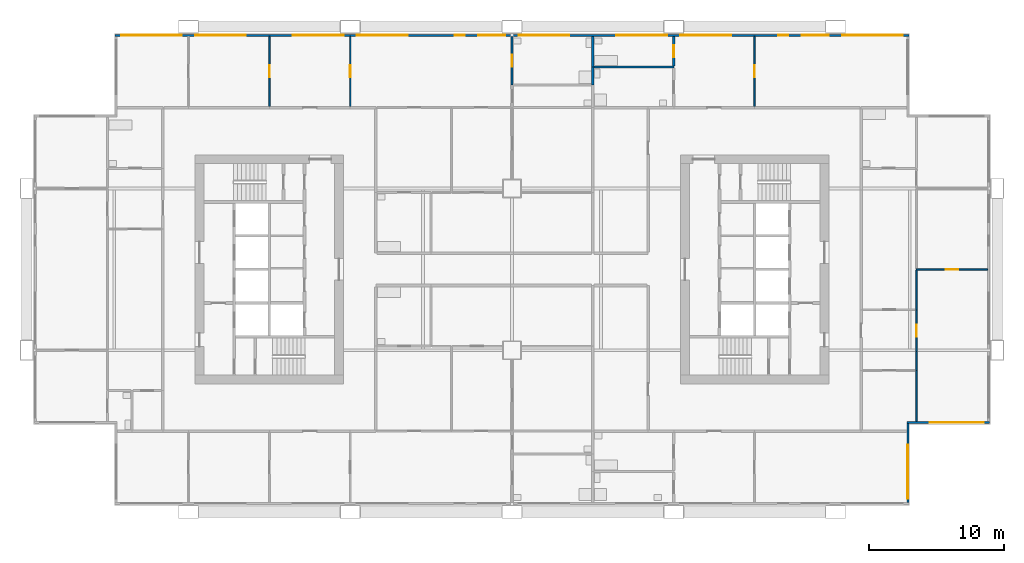
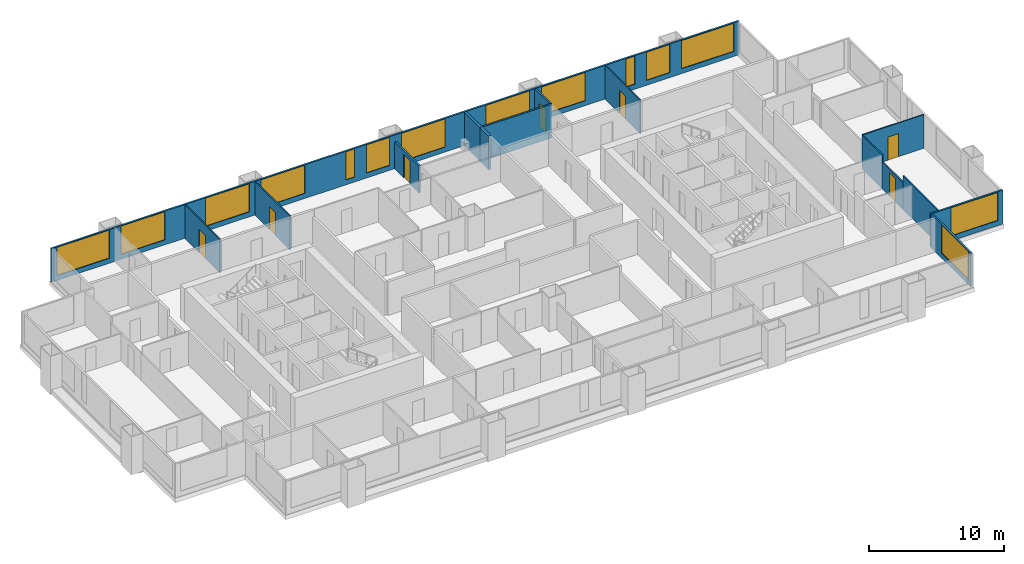
# One storey, part 8 of 11: 16 walls, 14 windows, 7 doors, 21 openings.
"""IFC4 building model written with IfcOpenShell, lengths in metres."""

from ifc_helpers import new_model, si_unit, direction, frame, frame_2d, origin, place, context, subcontext, project, spatial, rectangle, extrude, material, layer, layer_set, type_object, element, fill, save


model = new_model("IFC4")

# Units and contexts
model_context = context("Model", 3, precision=1e-05, world=origin(), true_north=direction((0.0, 1.0)))
body_context = subcontext(model_context, "Body", "Model", "MODEL_VIEW")
ifc_project = project(units=[si_unit("LENGTHUNIT", "METRE"), si_unit("AREAUNIT", "SQUARE_METRE"), si_unit("VOLUMEUNIT", "CUBIC_METRE"), si_unit("PLANEANGLEUNIT", "RADIAN"), si_unit("MASSUNIT", "GRAM", prefix="KILO")], contexts=[model_context])

# Site, building, storey
site_placement = place(None, origin())
site = spatial("IfcSite", under=ifc_project, at=site_placement, CompositionType="ELEMENT")
building_placement = place(site_placement, origin())
building = spatial("IfcBuilding", under=site, at=building_placement, Name="Kitamizu Gate Tower and Museum", CompositionType="ELEMENT")
storey_placement = place(building_placement, frame((0.0, 0.0, 120.75)))
storey = spatial("IfcBuildingStorey", under=building, at=storey_placement, Name="L31", CompositionType="ELEMENT", Elevation=120.75)

# Wall, opening, door
ifc_material_1 = material(Name="Gypsum board on galvanised stud")
ifc_layer_1 = layer(ifc_material_1, 0.10009765625)
ifc_layer_set_1 = layer_set([ifc_layer_1], Name="Gypsum board on galvanised stud")
wall_type_1 = type_object("IfcWallType", Name="Partition 100 NOT RATED", PredefinedType="PARTITIONING", material=ifc_layer_set_1)
wall_1_placement = place(storey_placement, frame((18.0, 42.10009765625, 0.0), z_axis=(0.0, 0.0, 1.0), x_axis=(0.0, 1.0, 0.0)))
wall_1 = element("IfcWall", 1, at=wall_1_placement, inside=storey, type_object=wall_type_1, Name="Partition L31-056", PredefinedType="PARTITIONING", context=body_context, shape_type="SweptSolid", body=[
    extrude(rectangle(XDim=5.179931640625, YDim=0.10009765625, at=frame_2d((2.58984375, 0.0))), origin(), (0.0, 0.0, 1.0), 3.050048828125),
])
opening_1_placement = place(wall_1_placement, frame((2.139892578125, 0.0, 0.0)))
opening_1 = element("IfcOpeningElement", 2, at=opening_1_placement, cuts=wall_1, Name="Opening L31-025", PredefinedType="OPENING", context=body_context, shape_type="SweptSolid", body=[
    extrude(rectangle(XDim=0.89990234375, YDim=2.10009765625, at=frame_2d((0.449951171875, 1.050048828125))), frame((0.0, 0.06005859375, 0.0), z_axis=(0.0, -1.0, 0.0), x_axis=(1.0, 0.0, 0.0)), (0.0, 0.0, 1.0), 0.1201171875),
])
ifc_material_2 = material(Name="Timber door set", Category="wood")
door_type_1 = type_object("IfcDoorType", Name="Room door 900", OperationType="NOTDEFINED", PredefinedType="DOOR", material=ifc_material_2)
door_1_placement = place(opening_1_placement, origin())
door_1 = element("IfcDoor", 3, at=door_1_placement, inside=storey, type_object=door_type_1, Name="Door L31-025", OperationType="SINGLE_SWING_RIGHT", OverallHeight=2.10009765625, OverallWidth=0.89990234375, PredefinedType="DOOR", context=body_context, shape_type="SweptSolid", body=[
    extrude(rectangle(XDim=0.89990234375, YDim=2.10009765625, at=frame_2d((0.449951171875, 1.050048828125))), frame((0.0, 0.02490234375, 0.0), z_axis=(0.0, -1.0, 0.0), x_axis=(1.0, 0.0, 0.0)), (0.0, 0.0, 1.0), 0.050048828125),
])
fill(opening_1, door_1)

wall_2_placement = place(storey_placement, frame((24.0, 42.10009765625, 0.0), z_axis=(0.0, 0.0, 1.0), x_axis=(0.0, 1.0, 0.0)))
wall_2 = element("IfcWall", 4, at=wall_2_placement, inside=storey, type_object=wall_type_1, Name="Partition L31-058", PredefinedType="PARTITIONING", context=body_context, shape_type="SweptSolid", body=[
    extrude(rectangle(XDim=5.179931640625, YDim=0.10009765625, at=frame_2d((2.58984375, 0.0))), origin(), (0.0, 0.0, 1.0), 3.050048828125),
])
opening_2_placement = place(wall_2_placement, frame((2.139892578125, 0.0, 0.0)))
opening_2 = element("IfcOpeningElement", 5, at=opening_2_placement, cuts=wall_2, Name="Opening L31-021", PredefinedType="OPENING", context=body_context, shape_type="SweptSolid", body=[
    extrude(rectangle(XDim=0.89990234375, YDim=2.10009765625, at=frame_2d((0.449951171875, 1.050048828125))), frame((0.0, 0.06005859375, 0.0), z_axis=(0.0, -1.0, 0.0), x_axis=(1.0, 0.0, 0.0)), (0.0, 0.0, 1.0), 0.1201171875),
])
door_2_placement = place(opening_2_placement, frame((0.89990234375, 0.0, 0.0), x_axis=(-1.0, 0.0, 0.0)))
door_2 = element("IfcDoor", 6, at=door_2_placement, inside=storey, type_object=door_type_1, Name="Door L31-021", OperationType="SINGLE_SWING_LEFT", OverallHeight=2.10009765625, OverallWidth=0.89990234375, PredefinedType="DOOR", context=body_context, shape_type="SweptSolid", body=[
    extrude(rectangle(XDim=0.89990234375, YDim=2.10009765625, at=frame_2d((0.449951171875, 1.050048828125))), frame((0.0, 0.02490234375, 0.0), z_axis=(0.0, -1.0, 0.0), x_axis=(1.0, 0.0, 0.0)), (0.0, 0.0, 1.0), 0.050048828125),
])
fill(opening_2, door_2)

wall_3_placement = place(storey_placement, frame((71.280029296875, 30.0, 0.0), z_axis=(0.0, 0.0, 1.0), x_axis=(-1.0, 0.0, 0.0)))
wall_3 = element("IfcWall", 7, at=wall_3_placement, inside=storey, type_object=wall_type_1, Name="Partition L31-098", PredefinedType="PARTITIONING", context=body_context, shape_type="SweptSolid", body=[
    extrude(rectangle(XDim=5.280029296875, YDim=0.10009765625, at=frame_2d((2.64013671875, 0.0))), origin(), (0.0, 0.0, 1.0), 3.050048828125),
])
opening_3_placement = place(wall_3_placement, frame((2.18994140625, 0.0, 0.0)))
opening_3 = element("IfcOpeningElement", 8, at=opening_3_placement, cuts=wall_3, Name="Opening L31-038", PredefinedType="OPENING", context=body_context, shape_type="SweptSolid", body=[
    extrude(rectangle(XDim=0.89990234375, YDim=2.10009765625, at=frame_2d((0.449951171875, 1.050048828125))), frame((0.0, 0.06005859375, 0.0), z_axis=(0.0, -1.0, 0.0), x_axis=(1.0, 0.0, 0.0)), (0.0, 0.0, 1.0), 0.1201171875),
])
door_3_placement = place(opening_3_placement, frame((0.89990234375, 0.0, 0.0), x_axis=(-1.0, 0.0, 0.0)))
door_3 = element("IfcDoor", 9, at=door_3_placement, inside=storey, type_object=door_type_1, Name="Door L31-038", OperationType="SINGLE_SWING_LEFT", OverallHeight=2.10009765625, OverallWidth=0.89990234375, PredefinedType="DOOR", context=body_context, shape_type="SweptSolid", body=[
    extrude(rectangle(XDim=0.89990234375, YDim=2.10009765625, at=frame_2d((0.449951171875, 1.050048828125))), frame((0.0, 0.02490234375, 0.0), z_axis=(0.0, -1.0, 0.0), x_axis=(1.0, 0.0, 0.0)), (0.0, 0.0, 1.0), 0.050048828125),
])
fill(opening_3, door_3)

# Wall
wall_4_placement = place(storey_placement, frame((66.0, 22.5, 0.0), z_axis=(0.0, 0.0, 1.0), x_axis=(0.0, -1.0, 0.0)))
element("IfcWall", 10, at=wall_4_placement, inside=storey, type_object=wall_type_1, Name="Partition L31-099", PredefinedType="PARTITIONING", context=body_context, shape_type="SweptSolid", body=[
    extrude(rectangle(XDim=3.780029296875, YDim=0.10009765625, at=frame_2d((1.89013671875, 0.0))), origin(), (0.0, 0.0, 1.0), 3.050048828125),
])

# Wall, opening, door
wall_5_placement = place(storey_placement, frame((66.0, 27.0, 0.0), z_axis=(0.0, 0.0, 1.0), x_axis=(0.0, -1.0, 0.0)))
wall_5 = element("IfcWall", 11, at=wall_5_placement, inside=storey, type_object=wall_type_1, Name="Partition L31-100", PredefinedType="PARTITIONING", context=body_context, shape_type="SweptSolid", body=[
    extrude(rectangle(XDim=3.10009765625, YDim=0.10009765625, at=frame_2d((1.550048828125, 0.0))), origin(), (0.0, 0.0, 1.0), 2.449951171875),
])
opening_4_placement = place(wall_5_placement, frame((1.10009765625, 0.0, 0.0)))
opening_4 = element("IfcOpeningElement", 12, at=opening_4_placement, cuts=wall_5, Name="Opening L31-036", PredefinedType="OPENING", context=body_context, shape_type="SweptSolid", body=[
    extrude(rectangle(XDim=0.89990234375, YDim=2.10009765625, at=frame_2d((0.449951171875, 1.050048828125))), frame((0.0, 0.06005859375, 0.0), z_axis=(0.0, -1.0, 0.0), x_axis=(1.0, 0.0, 0.0)), (0.0, 0.0, 1.0), 0.1201171875),
])
door_4_placement = place(opening_4_placement, origin())
door_4 = element("IfcDoor", 13, at=door_4_placement, inside=storey, type_object=door_type_1, Name="Door L31-036", OperationType="SINGLE_SWING_RIGHT", OverallHeight=2.10009765625, OverallWidth=0.89990234375, PredefinedType="DOOR", context=body_context, shape_type="SweptSolid", body=[
    extrude(rectangle(XDim=0.89990234375, YDim=2.10009765625, at=frame_2d((0.449951171875, 1.050048828125))), frame((0.0, 0.02490234375, 0.0), z_axis=(0.0, -1.0, 0.0), x_axis=(1.0, 0.0, 0.0)), (0.0, 0.0, 1.0), 0.050048828125),
])
fill(opening_4, door_4)

# Walls
wall_6_placement = place(storey_placement, frame((66.0, 23.89990234375, 0.0), z_axis=(0.0, 0.0, 1.0), x_axis=(0.0, -1.0, 0.0)))
element("IfcWall", 14, at=wall_6_placement, inside=storey, type_object=wall_type_1, Name="Partition L31-101", PredefinedType="PARTITIONING", context=body_context, shape_type="SweptSolid", body=[
    extrude(rectangle(XDim=1.39990234375, YDim=0.10009765625, at=frame_2d((0.699951171875, 0.0))), origin(), (0.0, 0.0, 1.0), 3.050048828125),
])
wall_7_placement = place(storey_placement, frame((66.0, 29.949951171875, 0.0), z_axis=(0.0, 0.0, 1.0), x_axis=(0.0, -1.0, 0.0)))
element("IfcWall", 15, at=wall_7_placement, inside=storey, type_object=wall_type_1, Name="Partition L31-102", PredefinedType="PARTITIONING", context=body_context, shape_type="SweptSolid", body=[
    extrude(rectangle(XDim=2.949951171875, YDim=0.10009765625, at=frame_2d((1.47509765625, 0.0))), origin(), (0.0, 0.0, 1.0), 3.050048828125),
])

# Wall, opening, door
wall_8_placement = place(storey_placement, frame((54.0, 42.10009765625, 0.0), z_axis=(0.0, 0.0, 1.0), x_axis=(0.0, 1.0, 0.0)))
wall_8 = element("IfcWall", 16, at=wall_8_placement, inside=storey, type_object=wall_type_1, Name="Partition L31-122", PredefinedType="PARTITIONING", context=body_context, shape_type="SweptSolid", body=[
    extrude(rectangle(XDim=5.179931640625, YDim=0.10009765625, at=frame_2d((2.58984375, 0.0))), origin(), (0.0, 0.0, 1.0), 3.050048828125),
])
opening_5_placement = place(wall_8_placement, frame((2.139892578125, 0.0, 0.0)))
opening_5 = element("IfcOpeningElement", 17, at=opening_5_placement, cuts=wall_8, Name="Opening L31-043", PredefinedType="OPENING", context=body_context, shape_type="SweptSolid", body=[
    extrude(rectangle(XDim=0.89990234375, YDim=2.10009765625, at=frame_2d((0.449951171875, 1.050048828125))), frame((0.0, 0.06005859375, 0.0), z_axis=(0.0, -1.0, 0.0), x_axis=(1.0, 0.0, 0.0)), (0.0, 0.0, 1.0), 0.1201171875),
])
door_5_placement = place(opening_5_placement, frame((0.89990234375, 0.0, 0.0), x_axis=(-1.0, 0.0, 0.0)))
door_5 = element("IfcDoor", 18, at=door_5_placement, inside=storey, type_object=door_type_1, Name="Door L31-043", OperationType="SINGLE_SWING_LEFT", OverallHeight=2.10009765625, OverallWidth=0.89990234375, PredefinedType="DOOR", context=body_context, shape_type="SweptSolid", body=[
    extrude(rectangle(XDim=0.89990234375, YDim=2.10009765625, at=frame_2d((0.449951171875, 1.050048828125))), frame((0.0, 0.02490234375, 0.0), z_axis=(0.0, -1.0, 0.0), x_axis=(1.0, 0.0, 0.0)), (0.0, 0.0, 1.0), 0.050048828125),
])
fill(opening_5, door_5)

ifc_material_3 = material(Name="Gypsum board on galvanised stud")
ifc_layer_2 = layer(ifc_material_3, 0.14990234375)
ifc_layer_set_2 = layer_set([ifc_layer_2], Name="Gypsum board on galvanised stud")
wall_type_2 = type_object("IfcWallType", Name="Partition 150", PredefinedType="PARTITIONING", material=ifc_layer_set_2)
wall_9_placement = place(storey_placement, frame((36.0, 43.679931640625, 0.0), z_axis=(0.0, 0.0, 1.0), x_axis=(0.0, 1.0, 0.0)))
wall_9 = element("IfcWall", 19, at=wall_9_placement, inside=storey, type_object=wall_type_2, Name="Partition L31-060", PredefinedType="PARTITIONING", context=body_context, shape_type="SweptSolid", body=[
    extrude(rectangle(XDim=3.60009765625, YDim=0.14990234375, at=frame_2d((1.800048828125, 0.0))), origin(), (0.0, 0.0, 1.0), 2.449951171875),
])
opening_6_placement = place(wall_9_placement, frame((1.35009765625, 0.0, 0.0)))
opening_6 = element("IfcOpeningElement", 20, at=opening_6_placement, cuts=wall_9, Name="Opening L31-024", PredefinedType="OPENING", context=body_context, shape_type="SweptSolid", body=[
    extrude(rectangle(XDim=0.89990234375, YDim=2.10009765625, at=frame_2d((0.449951171875, 1.050048828125))), frame((0.0, 0.0849609375, 0.0), z_axis=(0.0, -1.0, 0.0), x_axis=(1.0, 0.0, 0.0)), (0.0, 0.0, 1.0), 0.169921875),
])
ifc_material_4 = material(Name="Timber door set", Category="wood")
door_type_2 = type_object("IfcDoorType", Name="Bathroom door 900", OperationType="NOTDEFINED", PredefinedType="DOOR", material=ifc_material_4)
door_6_placement = place(opening_6_placement, frame((0.89990234375, 0.0, 0.0), x_axis=(-1.0, 0.0, 0.0)))
door_6 = element("IfcDoor", 21, at=door_6_placement, inside=storey, type_object=door_type_2, Name="Bathroom door L31-024", OperationType="SINGLE_SWING_RIGHT", OverallHeight=2.10009765625, OverallWidth=0.89990234375, PredefinedType="DOOR", context=body_context, shape_type="SweptSolid", body=[
    extrude(rectangle(XDim=0.89990234375, YDim=2.10009765625, at=frame_2d((0.449951171875, 1.050048828125))), frame((0.0, 0.02490234375, 0.0), z_axis=(0.0, -1.0, 0.0), x_axis=(1.0, 0.0, 0.0)), (0.0, 0.0, 1.0), 0.050048828125),
])
fill(opening_6, door_6)

# Wall
wall_10_placement = place(storey_placement, frame((48.0, 45.0, 0.0), z_axis=(0.0, 0.0, 1.0), x_axis=(-1.0, 0.0, 0.0)))
element("IfcWall", 22, at=wall_10_placement, inside=storey, type_object=wall_type_2, Name="Partition L31-117", PredefinedType="PARTITIONING", context=body_context, shape_type="SweptSolid", body=[
    extrude(rectangle(XDim=5.89990234375, YDim=0.14990234375, at=frame_2d((2.949951171875, 0.0))), origin(), (0.0, 0.0, 1.0), 3.050048828125),
])

# Wall, opening, door
wall_11_placement = place(storey_placement, frame((48.0, 45.074951171875, 0.0), z_axis=(0.0, 0.0, 1.0), x_axis=(0.0, 1.0, 0.0)))
wall_11 = element("IfcWall", 23, at=wall_11_placement, inside=storey, type_object=wall_type_2, Name="Partition L31-121", PredefinedType="PARTITIONING", context=body_context, shape_type="SweptSolid", body=[
    extrude(rectangle(XDim=2.205078125, YDim=0.14990234375, at=frame_2d((1.1025390625, 0.0))), origin(), (0.0, 0.0, 1.0), 3.050048828125),
])
opening_7_placement = place(wall_11_placement, frame((0.652587890625, 0.0, 0.0)))
opening_7 = element("IfcOpeningElement", 24, at=opening_7_placement, cuts=wall_11, Name="Opening L31-045", PredefinedType="OPENING", context=body_context, shape_type="SweptSolid", body=[
    extrude(rectangle(XDim=0.89990234375, YDim=2.10009765625, at=frame_2d((0.449951171875, 1.050048828125))), frame((0.0, 0.0849609375, 0.0), z_axis=(0.0, -1.0, 0.0), x_axis=(1.0, 0.0, 0.0)), (0.0, 0.0, 1.0), 0.169921875),
])
door_7_placement = place(opening_7_placement, origin())
door_7 = element("IfcDoor", 25, at=door_7_placement, inside=storey, type_object=door_type_2, Name="Bathroom door L31-045", OperationType="SINGLE_SWING_RIGHT", OverallHeight=2.10009765625, OverallWidth=0.89990234375, PredefinedType="DOOR", context=body_context, shape_type="SweptSolid", body=[
    extrude(rectangle(XDim=0.89990234375, YDim=2.10009765625, at=frame_2d((0.449951171875, 1.050048828125))), frame((0.0, 0.02490234375, 0.0), z_axis=(0.0, -1.0, 0.0), x_axis=(1.0, 0.0, 0.0)), (0.0, 0.0, 1.0), 0.050048828125),
])
fill(opening_7, door_7)

# Walls
ifc_material_5 = material(Name="Gypsum board on galvanised stud")
ifc_layer_3 = layer(ifc_material_5, 0.199951171875)
ifc_layer_set_3 = layer_set([ifc_layer_3], Name="Gypsum board on galvanised stud")
wall_type_3 = type_object("IfcWallType", Name="Partition 200", PredefinedType="PARTITIONING", material=ifc_layer_set_3)
wall_12_placement = place(storey_placement, frame((42.0, 43.679931640625, 0.0), z_axis=(0.0, 0.0, 1.0), x_axis=(0.0, 1.0, 0.0)))
element("IfcWall", 26, at=wall_12_placement, inside=storey, type_object=wall_type_3, Name="Partition L31-066", PredefinedType="PARTITIONING", context=body_context, shape_type="SweptSolid", body=[
    extrude(rectangle(XDim=1.320068359375, YDim=0.199951171875, at=frame_2d((0.66015625, 0.0))), origin(), (0.0, 0.0, 1.0), 3.050048828125),
])
wall_13_placement = place(storey_placement, frame((42.0, 45.0, 0.0), z_axis=(0.0, 0.0, 1.0), x_axis=(0.0, 1.0, 0.0)))
element("IfcWall", 27, at=wall_13_placement, inside=storey, type_object=wall_type_3, Name="Partition L31-067", PredefinedType="PARTITIONING", context=body_context, shape_type="SweptSolid", body=[
    extrude(rectangle(XDim=2.280029296875, YDim=0.199951171875, at=frame_2d((1.14013671875, 0.0))), origin(), (0.0, 0.0, 1.0), 3.050048828125),
])

# Wall, opening, window
ifc_material_6 = material(Name="Bronze anodised aluminium frame with insulated spandrel and tinted glass", Category="aluminium")
ifc_layer_4 = layer(ifc_material_6, 0.14990234375)
ifc_layer_set_4 = layer_set([ifc_layer_4], Name="Bronze anodised aluminium frame with insulated spandrel and tinted glass")
wall_type_4 = type_object("IfcWallType", Name="WINDOW WALL 150 BRONZE FRAME EI 30", PredefinedType="ELEMENTEDWALL", material=ifc_layer_set_4)
wall_14_placement = place(storey_placement, frame((65.364990234375, 12.7099609375, 0.0), z_axis=(0.0, 0.0, 1.0), x_axis=(0.0, 1.0, 0.0)))
wall_14 = element("IfcWall", 28, at=wall_14_placement, inside=storey, type_object=wall_type_4, Name="Window wall east L31", PredefinedType="ELEMENTEDWALL", context=body_context, shape_type="SweptSolid", body=[
    extrude(rectangle(XDim=5.85009765625, YDim=0.14990234375, at=frame_2d((2.925048828125, 0.0))), origin(), (0.0, 0.0, 1.0), 3.050048828125),
])
opening_8_placement = place(wall_14_placement, frame((0.2900390625, 0.0, 0.449951171875)))
opening_8 = element("IfcOpeningElement", 29, at=opening_8_placement, cuts=wall_14, Name="Opening W16", PredefinedType="OPENING", context=body_context, shape_type="SweptSolid", body=[
    extrude(rectangle(XDim=4.0, YDim=2.550048828125, at=frame_2d((2.0, 1.27490234375))), frame((0.0, 0.0849609375, 0.0), z_axis=(0.0, -1.0, 0.0), x_axis=(1.0, 0.0, 0.0)), (0.0, 0.0, 1.0), 0.169921875),
])
ifc_material_7 = material(Name="Bronze anodised aluminium frame, tinted triple glazing", Category="aluminium")
window_type_1 = type_object("IfcWindowType", Name="WINDOW 4000 x 2550 SILL 450", PartitioningType="SINGLE_PANEL", PredefinedType="WINDOW", material=ifc_material_7)
window_1_placement = place(opening_8_placement, origin())
window_1 = element("IfcWindow", 30, at=window_1_placement, inside=storey, type_object=window_type_1, Name="Window W16 L31", OverallHeight=2.550048828125, OverallWidth=4.0, PartitioningType="SINGLE_PANEL", PredefinedType="WINDOW", context=body_context, shape_type="SweptSolid", body=[
    extrude(rectangle(XDim=4.0, YDim=2.550048828125, at=frame_2d((2.0, 1.27490234375))), frame((0.0, 0.030029296875, 0.0), z_axis=(0.0, -1.0, 0.0), x_axis=(1.0, 0.0, 0.0)), (0.0, 0.0, 1.0), 0.06005859375),
])
fill(opening_8, window_1)

wall_15_placement = place(storey_placement, frame((65.2900390625, 18.635009765625, 0.0), z_axis=(0.0, 0.0, 1.0), x_axis=(1.0, 0.0, 0.0)))
wall_15 = element("IfcWall", 31, at=wall_15_placement, inside=storey, type_object=wall_type_4, Name="Window wall south L31", PredefinedType="ELEMENTEDWALL", context=body_context, shape_type="SweptSolid", body=[
    extrude(rectangle(XDim=6.14990234375, YDim=0.14990234375, at=frame_2d((3.074951171875, 0.0))), origin(), (0.0, 0.0, 1.0), 3.050048828125),
])
opening_9_placement = place(wall_15_placement, frame((1.7099609375, 0.0, 0.449951171875)))
opening_9 = element("IfcOpeningElement", 32, at=opening_9_placement, cuts=wall_15, Name="Opening W16", PredefinedType="OPENING", context=body_context, shape_type="SweptSolid", body=[
    extrude(rectangle(XDim=4.0, YDim=2.550048828125, at=frame_2d((2.0, 1.27490234375))), frame((0.0, 0.0849609375, 0.0), z_axis=(0.0, -1.0, 0.0), x_axis=(1.0, 0.0, 0.0)), (0.0, 0.0, 1.0), 0.169921875),
])
window_2_placement = place(opening_9_placement, origin())
window_2 = element("IfcWindow", 33, at=window_2_placement, inside=storey, type_object=window_type_1, Name="Window W16 L31", OverallHeight=2.550048828125, OverallWidth=4.0, PartitioningType="SINGLE_PANEL", PredefinedType="WINDOW", context=body_context, shape_type="SweptSolid", body=[
    extrude(rectangle(XDim=4.0, YDim=2.550048828125, at=frame_2d((2.0, 1.27490234375))), frame((0.0, 0.030029296875, 0.0), z_axis=(0.0, -1.0, 0.0), x_axis=(1.0, 0.0, 0.0)), (0.0, 0.0, 1.0), 0.06005859375),
])
fill(opening_9, window_2)

# Wall, openings, windows
wall_16_placement = place(storey_placement, frame((6.56005859375, 47.364990234375, 0.0), z_axis=(0.0, 0.0, 1.0), x_axis=(1.0, 0.0, 0.0)))
wall_16 = element("IfcWall", 34, at=wall_16_placement, inside=storey, type_object=wall_type_4, Name="Window wall north L31", PredefinedType="ELEMENTEDWALL", context=body_context, shape_type="SweptSolid", body=[
    extrude(rectangle(XDim=58.8798828125, YDim=0.14990234375, at=frame_2d((29.43994140625, 0.0))), origin(), (0.0, 0.0, 1.0), 3.050048828125),
])
opening_10_placement = place(wall_16_placement, frame((0.43994140625, 0.0, 0.449951171875)))
opening_10 = element("IfcOpeningElement", 35, at=opening_10_placement, cuts=wall_16, Name="Opening W15", PredefinedType="OPENING", context=body_context, shape_type="SweptSolid", body=[
    extrude(rectangle(XDim=4.5, YDim=2.550048828125, at=frame_2d((2.25, 1.27490234375))), frame((0.0, 0.0849609375, 0.0), z_axis=(0.0, -1.0, 0.0), x_axis=(1.0, 0.0, 0.0)), (0.0, 0.0, 1.0), 0.169921875),
])
opening_11_placement = place(wall_16_placement, frame((5.93994140625, 0.0, 0.449951171875)))
opening_11 = element("IfcOpeningElement", 36, at=opening_11_placement, cuts=wall_16, Name="Opening W36", PredefinedType="OPENING", context=body_context, shape_type="SweptSolid", body=[
    extrude(rectangle(XDim=3.75, YDim=2.550048828125, at=frame_2d((1.875, 1.27490234375))), frame((0.0, 0.0849609375, 0.0), z_axis=(0.0, -1.0, 0.0), x_axis=(1.0, 0.0, 0.0)), (0.0, 0.0, 1.0), 0.169921875),
])
opening_12_placement = place(wall_16_placement, frame((13.18994140625, 0.0, 0.449951171875)))
opening_12 = element("IfcOpeningElement", 37, at=opening_12_placement, cuts=wall_16, Name="Opening W36", PredefinedType="OPENING", context=body_context, shape_type="SweptSolid", body=[
    extrude(rectangle(XDim=3.75, YDim=2.550048828125, at=frame_2d((1.875, 1.27490234375))), frame((0.0, 0.0849609375, 0.0), z_axis=(0.0, -1.0, 0.0), x_axis=(1.0, 0.0, 0.0)), (0.0, 0.0, 1.0), 0.169921875),
])
opening_13_placement = place(wall_16_placement, frame((17.93994140625, 0.0, 0.449951171875)))
opening_13 = element("IfcOpeningElement", 38, at=opening_13_placement, cuts=wall_16, Name="Opening W36", PredefinedType="OPENING", context=body_context, shape_type="SweptSolid", body=[
    extrude(rectangle(XDim=3.75, YDim=2.550048828125, at=frame_2d((1.875, 1.27490234375))), frame((0.0, 0.0849609375, 0.0), z_axis=(0.0, -1.0, 0.0), x_axis=(1.0, 0.0, 0.0)), (0.0, 0.0, 1.0), 0.169921875),
])
opening_14_placement = place(wall_16_placement, frame((25.18994140625, 0.0, 0.449951171875)))
opening_14 = element("IfcOpeningElement", 39, at=opening_14_placement, cuts=wall_16, Name="Opening W25", PredefinedType="OPENING", context=body_context, shape_type="SweptSolid", body=[
    extrude(rectangle(XDim=0.75, YDim=2.550048828125, at=frame_2d((0.375, 1.27490234375))), frame((0.0, 0.0849609375, 0.0), z_axis=(0.0, -1.0, 0.0), x_axis=(1.0, 0.0, 0.0)), (0.0, 0.0, 1.0), 0.169921875),
])
opening_15_placement = place(wall_16_placement, frame((26.93994140625, 0.0, 0.449951171875)))
opening_15 = element("IfcOpeningElement", 40, at=opening_15_placement, cuts=wall_16, Name="Opening W2", PredefinedType="OPENING", context=body_context, shape_type="SweptSolid", body=[
    extrude(rectangle(XDim=2.0, YDim=2.550048828125, at=frame_2d((1.0, 1.27490234375))), frame((0.0, 0.0849609375, 0.0), z_axis=(0.0, -1.0, 0.0), x_axis=(1.0, 0.0, 0.0)), (0.0, 0.0, 1.0), 0.169921875),
])
opening_16_placement = place(wall_16_placement, frame((29.93994140625, 0.0, 0.449951171875)))
opening_16 = element("IfcOpeningElement", 41, at=opening_16_placement, cuts=wall_16, Name="Opening W36", PredefinedType="OPENING", context=body_context, shape_type="SweptSolid", body=[
    extrude(rectangle(XDim=3.75, YDim=2.550048828125, at=frame_2d((1.875, 1.27490234375))), frame((0.0, 0.0849609375, 0.0), z_axis=(0.0, -1.0, 0.0), x_axis=(1.0, 0.0, 0.0)), (0.0, 0.0, 1.0), 0.169921875),
])
opening_17_placement = place(wall_16_placement, frame((37.18994140625, 0.0, 0.449951171875)))
opening_17 = element("IfcOpeningElement", 42, at=opening_17_placement, cuts=wall_16, Name="Opening W36", PredefinedType="OPENING", context=body_context, shape_type="SweptSolid", body=[
    extrude(rectangle(XDim=3.75, YDim=2.550048828125, at=frame_2d((1.875, 1.27490234375))), frame((0.0, 0.0849609375, 0.0), z_axis=(0.0, -1.0, 0.0), x_axis=(1.0, 0.0, 0.0)), (0.0, 0.0, 1.0), 0.169921875),
])
opening_18_placement = place(wall_16_placement, frame((41.93994140625, 0.0, 0.449951171875)))
opening_18 = element("IfcOpeningElement", 43, at=opening_18_placement, cuts=wall_16, Name="Opening W36", PredefinedType="OPENING", context=body_context, shape_type="SweptSolid", body=[
    extrude(rectangle(XDim=3.75, YDim=2.550048828125, at=frame_2d((1.875, 1.27490234375))), frame((0.0, 0.0849609375, 0.0), z_axis=(0.0, -1.0, 0.0), x_axis=(1.0, 0.0, 0.0)), (0.0, 0.0, 1.0), 0.169921875),
])
opening_19_placement = place(wall_16_placement, frame((49.18994140625, 0.0, 0.449951171875)))
opening_19 = element("IfcOpeningElement", 44, at=opening_19_placement, cuts=wall_16, Name="Opening W25", PredefinedType="OPENING", context=body_context, shape_type="SweptSolid", body=[
    extrude(rectangle(XDim=0.75, YDim=2.550048828125, at=frame_2d((0.375, 1.27490234375))), frame((0.0, 0.0849609375, 0.0), z_axis=(0.0, -1.0, 0.0), x_axis=(1.0, 0.0, 0.0)), (0.0, 0.0, 1.0), 0.169921875),
])
opening_20_placement = place(wall_16_placement, frame((50.93994140625, 0.0, 0.449951171875)))
opening_20 = element("IfcOpeningElement", 45, at=opening_20_placement, cuts=wall_16, Name="Opening W2", PredefinedType="OPENING", context=body_context, shape_type="SweptSolid", body=[
    extrude(rectangle(XDim=2.0, YDim=2.550048828125, at=frame_2d((1.0, 1.27490234375))), frame((0.0, 0.0849609375, 0.0), z_axis=(0.0, -1.0, 0.0), x_axis=(1.0, 0.0, 0.0)), (0.0, 0.0, 1.0), 0.169921875),
])
opening_21_placement = place(wall_16_placement, frame((53.93994140625, 0.0, 0.449951171875)))
opening_21 = element("IfcOpeningElement", 46, at=opening_21_placement, cuts=wall_16, Name="Opening W15", PredefinedType="OPENING", context=body_context, shape_type="SweptSolid", body=[
    extrude(rectangle(XDim=4.5, YDim=2.550048828125, at=frame_2d((2.25, 1.27490234375))), frame((0.0, 0.0849609375, 0.0), z_axis=(0.0, -1.0, 0.0), x_axis=(1.0, 0.0, 0.0)), (0.0, 0.0, 1.0), 0.169921875),
])
ifc_material_8 = material(Name="Bronze anodised aluminium frame, tinted triple glazing", Category="aluminium")
window_type_2 = type_object("IfcWindowType", Name="WINDOW 2000 x 2550 SILL 450", PartitioningType="SINGLE_PANEL", PredefinedType="WINDOW", material=ifc_material_8)
window_3_placement = place(opening_15_placement, origin())
window_3 = element("IfcWindow", 47, at=window_3_placement, inside=storey, type_object=window_type_2, Name="Window W2 L31", OverallHeight=2.550048828125, OverallWidth=2.0, PartitioningType="SINGLE_PANEL", PredefinedType="WINDOW", context=body_context, shape_type="SweptSolid", body=[
    extrude(rectangle(XDim=2.0, YDim=2.550048828125, at=frame_2d((1.0, 1.27490234375))), frame((0.0, 0.030029296875, 0.0), z_axis=(0.0, -1.0, 0.0), x_axis=(1.0, 0.0, 0.0)), (0.0, 0.0, 1.0), 0.06005859375),
])
fill(opening_15, window_3)
window_4_placement = place(opening_20_placement, origin())
window_4 = element("IfcWindow", 48, at=window_4_placement, inside=storey, type_object=window_type_2, Name="Window W2 L31", OverallHeight=2.550048828125, OverallWidth=2.0, PartitioningType="SINGLE_PANEL", PredefinedType="WINDOW", context=body_context, shape_type="SweptSolid", body=[
    extrude(rectangle(XDim=2.0, YDim=2.550048828125, at=frame_2d((1.0, 1.27490234375))), frame((0.0, 0.030029296875, 0.0), z_axis=(0.0, -1.0, 0.0), x_axis=(1.0, 0.0, 0.0)), (0.0, 0.0, 1.0), 0.06005859375),
])
fill(opening_20, window_4)
ifc_material_9 = material(Name="Bronze anodised aluminium frame, tinted triple glazing", Category="aluminium")
window_type_3 = type_object("IfcWindowType", Name="WINDOW 3750 x 2550 SILL 450", PartitioningType="SINGLE_PANEL", PredefinedType="WINDOW", material=ifc_material_9)
window_5_placement = place(opening_11_placement, origin())
window_5 = element("IfcWindow", 49, at=window_5_placement, inside=storey, type_object=window_type_3, Name="Window W36 L31", OverallHeight=2.550048828125, OverallWidth=3.75, PartitioningType="SINGLE_PANEL", PredefinedType="WINDOW", context=body_context, shape_type="SweptSolid", body=[
    extrude(rectangle(XDim=3.75, YDim=2.550048828125, at=frame_2d((1.875, 1.27490234375))), frame((0.0, 0.030029296875, 0.0), z_axis=(0.0, -1.0, 0.0), x_axis=(1.0, 0.0, 0.0)), (0.0, 0.0, 1.0), 0.06005859375),
])
fill(opening_11, window_5)
window_6_placement = place(opening_12_placement, origin())
window_6 = element("IfcWindow", 50, at=window_6_placement, inside=storey, type_object=window_type_3, Name="Window W36 L31", OverallHeight=2.550048828125, OverallWidth=3.75, PartitioningType="SINGLE_PANEL", PredefinedType="WINDOW", context=body_context, shape_type="SweptSolid", body=[
    extrude(rectangle(XDim=3.75, YDim=2.550048828125, at=frame_2d((1.875, 1.27490234375))), frame((0.0, 0.030029296875, 0.0), z_axis=(0.0, -1.0, 0.0), x_axis=(1.0, 0.0, 0.0)), (0.0, 0.0, 1.0), 0.06005859375),
])
fill(opening_12, window_6)
window_7_placement = place(opening_13_placement, origin())
window_7 = element("IfcWindow", 51, at=window_7_placement, inside=storey, type_object=window_type_3, Name="Window W36 L31", OverallHeight=2.550048828125, OverallWidth=3.75, PartitioningType="SINGLE_PANEL", PredefinedType="WINDOW", context=body_context, shape_type="SweptSolid", body=[
    extrude(rectangle(XDim=3.75, YDim=2.550048828125, at=frame_2d((1.875, 1.27490234375))), frame((0.0, 0.030029296875, 0.0), z_axis=(0.0, -1.0, 0.0), x_axis=(1.0, 0.0, 0.0)), (0.0, 0.0, 1.0), 0.06005859375),
])
fill(opening_13, window_7)
window_8_placement = place(opening_16_placement, origin())
window_8 = element("IfcWindow", 52, at=window_8_placement, inside=storey, type_object=window_type_3, Name="Window W36 L31", OverallHeight=2.550048828125, OverallWidth=3.75, PartitioningType="SINGLE_PANEL", PredefinedType="WINDOW", context=body_context, shape_type="SweptSolid", body=[
    extrude(rectangle(XDim=3.75, YDim=2.550048828125, at=frame_2d((1.875, 1.27490234375))), frame((0.0, 0.030029296875, 0.0), z_axis=(0.0, -1.0, 0.0), x_axis=(1.0, 0.0, 0.0)), (0.0, 0.0, 1.0), 0.06005859375),
])
fill(opening_16, window_8)
window_9_placement = place(opening_17_placement, origin())
window_9 = element("IfcWindow", 53, at=window_9_placement, inside=storey, type_object=window_type_3, Name="Window W36 L31", OverallHeight=2.550048828125, OverallWidth=3.75, PartitioningType="SINGLE_PANEL", PredefinedType="WINDOW", context=body_context, shape_type="SweptSolid", body=[
    extrude(rectangle(XDim=3.75, YDim=2.550048828125, at=frame_2d((1.875, 1.27490234375))), frame((0.0, 0.030029296875, 0.0), z_axis=(0.0, -1.0, 0.0), x_axis=(1.0, 0.0, 0.0)), (0.0, 0.0, 1.0), 0.06005859375),
])
fill(opening_17, window_9)
window_10_placement = place(opening_18_placement, origin())
window_10 = element("IfcWindow", 54, at=window_10_placement, inside=storey, type_object=window_type_3, Name="Window W36 L31", OverallHeight=2.550048828125, OverallWidth=3.75, PartitioningType="SINGLE_PANEL", PredefinedType="WINDOW", context=body_context, shape_type="SweptSolid", body=[
    extrude(rectangle(XDim=3.75, YDim=2.550048828125, at=frame_2d((1.875, 1.27490234375))), frame((0.0, 0.030029296875, 0.0), z_axis=(0.0, -1.0, 0.0), x_axis=(1.0, 0.0, 0.0)), (0.0, 0.0, 1.0), 0.06005859375),
])
fill(opening_18, window_10)
ifc_material_10 = material(Name="Bronze anodised aluminium frame, tinted triple glazing", Category="aluminium")
window_type_4 = type_object("IfcWindowType", Name="WINDOW 4500 x 2550 SILL 450", PartitioningType="SINGLE_PANEL", PredefinedType="WINDOW", material=ifc_material_10)
window_11_placement = place(opening_10_placement, origin())
window_11 = element("IfcWindow", 55, at=window_11_placement, inside=storey, type_object=window_type_4, Name="Window W15 L31", OverallHeight=2.550048828125, OverallWidth=4.5, PartitioningType="SINGLE_PANEL", PredefinedType="WINDOW", context=body_context, shape_type="SweptSolid", body=[
    extrude(rectangle(XDim=4.5, YDim=2.550048828125, at=frame_2d((2.25, 1.27490234375))), frame((0.0, 0.030029296875, 0.0), z_axis=(0.0, -1.0, 0.0), x_axis=(1.0, 0.0, 0.0)), (0.0, 0.0, 1.0), 0.06005859375),
])
fill(opening_10, window_11)
window_12_placement = place(opening_21_placement, origin())
window_12 = element("IfcWindow", 56, at=window_12_placement, inside=storey, type_object=window_type_4, Name="Window W15 L31", OverallHeight=2.550048828125, OverallWidth=4.5, PartitioningType="SINGLE_PANEL", PredefinedType="WINDOW", context=body_context, shape_type="SweptSolid", body=[
    extrude(rectangle(XDim=4.5, YDim=2.550048828125, at=frame_2d((2.25, 1.27490234375))), frame((0.0, 0.030029296875, 0.0), z_axis=(0.0, -1.0, 0.0), x_axis=(1.0, 0.0, 0.0)), (0.0, 0.0, 1.0), 0.06005859375),
])
fill(opening_21, window_12)
ifc_material_11 = material(Name="Bronze anodised aluminium frame, tinted triple glazing", Category="aluminium")
window_type_5 = type_object("IfcWindowType", Name="WINDOW 750 x 2550 SILL 450", PartitioningType="SINGLE_PANEL", PredefinedType="WINDOW", material=ifc_material_11)
window_13_placement = place(opening_14_placement, origin())
window_13 = element("IfcWindow", 57, at=window_13_placement, inside=storey, type_object=window_type_5, Name="Window W25 L31", OverallHeight=2.550048828125, OverallWidth=0.75, PartitioningType="SINGLE_PANEL", PredefinedType="WINDOW", context=body_context, shape_type="SweptSolid", body=[
    extrude(rectangle(XDim=0.75, YDim=2.550048828125, at=frame_2d((0.375, 1.27490234375))), frame((0.0, 0.030029296875, 0.0), z_axis=(0.0, -1.0, 0.0), x_axis=(1.0, 0.0, 0.0)), (0.0, 0.0, 1.0), 0.06005859375),
])
fill(opening_14, window_13)
window_14_placement = place(opening_19_placement, origin())
window_14 = element("IfcWindow", 58, at=window_14_placement, inside=storey, type_object=window_type_5, Name="Window W25 L31", OverallHeight=2.550048828125, OverallWidth=0.75, PartitioningType="SINGLE_PANEL", PredefinedType="WINDOW", context=body_context, shape_type="SweptSolid", body=[
    extrude(rectangle(XDim=0.75, YDim=2.550048828125, at=frame_2d((0.375, 1.27490234375))), frame((0.0, 0.030029296875, 0.0), z_axis=(0.0, -1.0, 0.0), x_axis=(1.0, 0.0, 0.0)), (0.0, 0.0, 1.0), 0.06005859375),
])
fill(opening_19, window_14)

save(model, "model.ifc")
